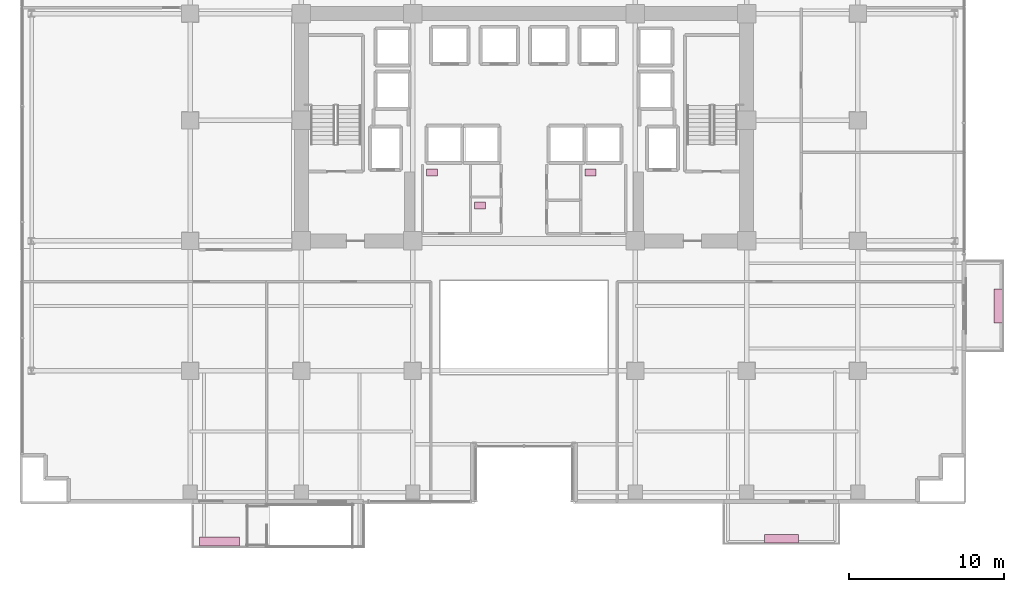
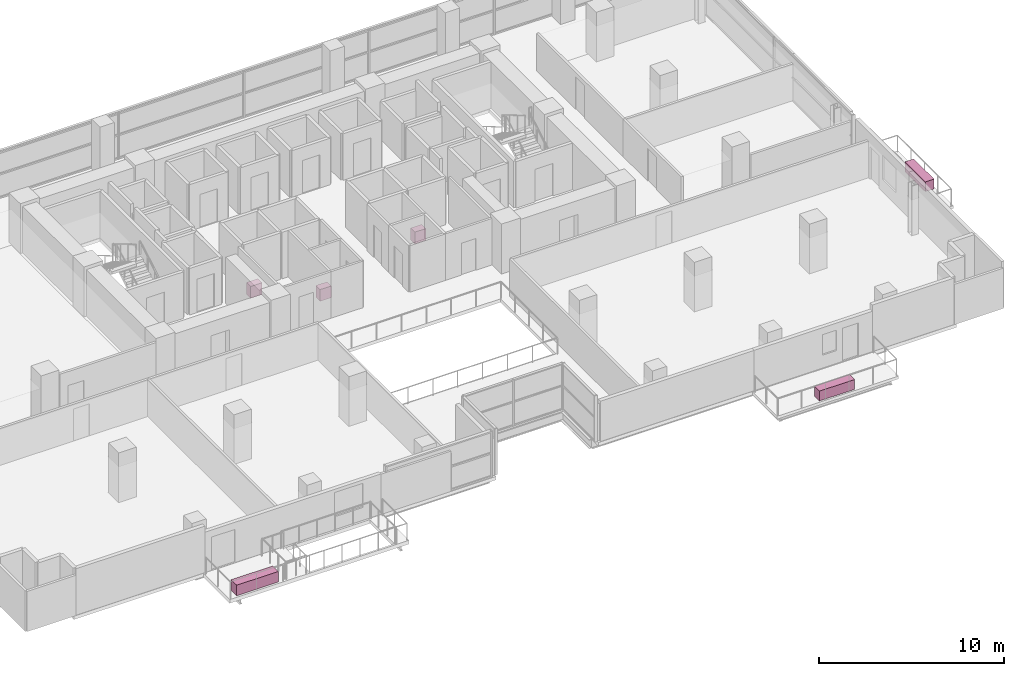
# One storey, part 30 of 30: 6 furnishings.
"""IFC4 building model written with IfcOpenShell, lengths in metres."""

import ifcopenshell
import ifcopenshell.guid

model = None  # the IFC model being written
_history = None  # IfcOwnerHistory: only IFC2X3 demands one
_inside = {}  # id of a spatial element -> (the spatial element, [elements in it])
_under = {}  # id of a project, library or spatial element -> (it, [spatial elements below it])
_declared = {}  # id of a project -> (the project, [libraries it declares])
_typed = {}  # id of a type object -> (the type object, [elements of that type])
_made_of = {}  # id of a material, layer set ... -> (it, [elements and type objects made of it])


def new_model(schema):
    """Start an empty IFC model of exactly this schema.

    Asked for "IFC4X3", IfcOpenShell would pick the latest addendum, in which some entities
    have other attributes; the version numbers below select the first issue.
    IFC2X3 requires an IfcOwnerHistory on every rooted entity: one is made here for all.
    """
    global model, _history
    if schema == "IFC4X3":
        model = ifcopenshell.file(schema_version=(4, 3, 0, 0))
    else:
        model = ifcopenshell.file(schema=schema)
    _inside.clear()
    _under.clear()
    _declared.clear()
    _typed.clear()
    _made_of.clear()
    _history = None
    if model.schema == "IFC2X3":
        org = make("IfcOrganization", Name="unknown")
        user = make(
            "IfcPersonAndOrganization",
            ThePerson=make("IfcPerson", FamilyName="unknown"),
            TheOrganization=org,
        )
        app = make(
            "IfcApplication",
            ApplicationDeveloper=org,
            Version="unknown",
            ApplicationFullName="unknown",
            ApplicationIdentifier="unknown",
        )
        _history = make(
            "IfcOwnerHistory",
            OwningUser=user,
            OwningApplication=app,
            ChangeAction="ADDED",
            CreationDate=0,
        )
    return model


def make(cls, **values):
    """One entity of the class cls with the attributes given. An attribute that is None is left unset."""
    return model.create_entity(
        cls, **{name: value for name, value in values.items() if value is not None}
    )


def rooted(cls, **values):
    """An entity with a GlobalId (a new one), such as an element, a storey or a relation."""
    return make(cls, GlobalId=ifcopenshell.guid.new(), OwnerHistory=_history, **values)


def si_unit(unit_type, name, prefix=None):
    """IfcSIUnit, for example si_unit("LENGTHUNIT", "METRE", prefix="MILLI")."""
    return make("IfcSIUnit", UnitType=unit_type, Prefix=prefix, Name=name)


def assignment(units):
    """IfcUnitAssignment: the units of a project."""
    return None if units is None else make("IfcUnitAssignment", Units=units)


def point(xyz):
    """IfcCartesianPoint."""
    return None if xyz is None else make("IfcCartesianPoint", Coordinates=xyz)


def direction(xyz):
    """IfcDirection."""
    return None if xyz is None else make("IfcDirection", DirectionRatios=xyz)


def frame(location, z_axis=None, x_axis=None):
    """IfcAxis2Placement3D, a coordinate frame: its origin and axes. An axis left out is left unset."""
    return make(
        "IfcAxis2Placement3D",
        Location=point(location),
        Axis=direction(z_axis),
        RefDirection=direction(x_axis),
    )


def frame_2d(location, x_axis=None):
    """IfcAxis2Placement2D, a coordinate frame in the plane: its origin and x axis."""
    return make(
        "IfcAxis2Placement2D", Location=point(location), RefDirection=direction(x_axis)
    )


def origin():
    """The frame at (0, 0, 0) with its axes left unset."""
    return frame((0.0, 0.0, 0.0))


def origin_2d():
    """The frame at (0, 0) in the plane with its x axis left unset."""
    return frame_2d((0.0, 0.0))


def place(relative_to, where):
    """IfcLocalPlacement: puts the frame where relative to a parent placement (None: the world)."""
    return make(
        "IfcLocalPlacement", PlacementRelTo=relative_to, RelativePlacement=where
    )


def context(
    kind, dimensions, precision=None, world=None, true_north=None, identifier=None
):
    """IfcGeometricRepresentationContext, for example the 3D "Model" context."""
    return make(
        "IfcGeometricRepresentationContext",
        ContextIdentifier=identifier,
        ContextType=kind,
        CoordinateSpaceDimension=dimensions,
        Precision=precision,
        WorldCoordinateSystem=world,
        TrueNorth=true_north,
    )


def subcontext(parent, identifier, kind, view, scale=None):
    """IfcGeometricRepresentationSubContext, for example "Body" below "Model"."""
    return make(
        "IfcGeometricRepresentationSubContext",
        ContextIdentifier=identifier,
        ContextType=kind,
        ParentContext=parent,
        TargetScale=scale,
        TargetView=view,
    )


def project(units=None, contexts=None):
    """IfcProject with its units and contexts."""
    return rooted(
        "IfcProject",
        Name="project",
        RepresentationContexts=contexts,
        UnitsInContext=assignment(units),
    )


def spatial(cls, under=None, at=None, **own):
    """A site, building, storey or space (cls), placed at a placement, below another one or the project."""
    s = rooted(cls, ObjectPlacement=at, **own)
    if under is not None:
        _under.setdefault(under.id(), (under, []))[1].append(s)
    return s


def profile(cls, at=None, kind="AREA", **sizes):
    """A parametric profile (cls). Its sizes go by their IFC names, for example OverallWidth=200.0."""
    return make(cls, ProfileType=kind, Position=at, **sizes)


def rectangle(**sizes):
    """IfcRectangleProfileDef."""
    return profile("IfcRectangleProfileDef", **sizes)


def extrude(swept, where, along, depth):
    """IfcExtrudedAreaSolid: the profile swept, set in the frame where, extruded along a direction by depth."""
    return make(
        "IfcExtrudedAreaSolid",
        SweptArea=swept,
        Position=where,
        ExtrudedDirection=direction(along),
        Depth=depth,
    )


def shape(context_of_items, identifier, shape_type, items):
    """IfcShapeRepresentation: the items that make up one representation, for example the "Body"."""
    return make(
        "IfcShapeRepresentation",
        ContextOfItems=context_of_items,
        RepresentationIdentifier=identifier,
        RepresentationType=shape_type,
        Items=items,
    )


def source(mapping_origin, context_of_items, identifier, shape_type, items):
    """IfcRepresentationMap: a shape defined once, which mapped items show again and again."""
    return make(
        "IfcRepresentationMap",
        MappingOrigin=mapping_origin,
        MappedRepresentation=shape(context_of_items, identifier, shape_type, items),
    )


def transform(
    local_origin,
    x_axis=None,
    y_axis=None,
    z_axis=None,
    scale=None,
    scale2=None,
    scale3=None,
    uniform=True,
):
    """IfcCartesianTransformationOperator3D, or its non-uniform kind. x_axis, y_axis, z_axis: its Axis1, 2, 3."""
    if uniform:
        return make(
            "IfcCartesianTransformationOperator3D",
            Axis1=direction(x_axis),
            Axis2=direction(y_axis),
            LocalOrigin=point(local_origin),
            Scale=scale,
            Axis3=direction(z_axis),
        )
    return make(
        "IfcCartesianTransformationOperator3DnonUniform",
        Axis1=direction(x_axis),
        Axis2=direction(y_axis),
        LocalOrigin=point(local_origin),
        Scale=scale,
        Axis3=direction(z_axis),
        Scale2=scale2,
        Scale3=scale3,
    )


def mapped(mapping_source, mapping_target):
    """IfcMappedItem: shows the shape of a source again, moved by a transform."""
    return make(
        "IfcMappedItem", MappingSource=mapping_source, MappingTarget=mapping_target
    )


def material(Name=None, Category=None):
    """IfcMaterial."""
    return make("IfcMaterial", Name=Name, Category=Category)


def made_of(thing, what):
    """Note that an element or type object is made of a material, layer set ...; save() writes the relation."""
    if what is not None:
        _made_of.setdefault(what.id(), (what, []))[1].append(thing)
    return thing


def type_object(cls, material=None, **own):
    """A type object (cls), such as IfcWallType, which elements share."""
    return made_of(rooted(cls, **own), material)


def element(
    cls,
    number,
    at=None,
    inside=None,
    cuts=None,
    type_object=None,
    material=None,
    context=None,
    identifier="Body",
    shape_type=None,
    held_by="IfcProductDefinitionShape",
    body=None,
    shapes=None,
    **own,
):
    """One element of the class cls, such as IfcWall. Its Tag is "e" and its number.

    at: its placement. inside: the storey or other place that contains it. cuts: it is an
    opening in that element (IfcRelVoidsElement). A single representation is given by context,
    identifier, shape_type and body (its items); several are given by shapes. held_by: the class
    of the entity that holds the representations. save() writes the other relations.
    """
    e = rooted(cls, Tag="e%d" % number, ObjectPlacement=at, **own)
    if body is not None:
        shapes = [shape(context, identifier, shape_type, body)]
    if shapes is not None:
        e.Representation = make(held_by, Representations=shapes)
    if inside is not None:
        _inside.setdefault(inside.id(), (inside, []))[1].append(e)
    if cuts is not None:
        rooted(
            "IfcRelVoidsElement", RelatingBuildingElement=cuts, RelatedOpeningElement=e
        )
    if type_object is not None:
        _typed.setdefault(type_object.id(), (type_object, []))[1].append(e)
    return made_of(e, material)


def aggregate(whole, parts):
    """IfcRelAggregates: a whole, such as a stair, and the parts it consists of."""
    return rooted("IfcRelAggregates", RelatingObject=whole, RelatedObjects=parts)


def save(model, path):
    """Write the relations noted so far, then the file.

    IfcRelAggregates (storeys below a building ...), IfcRelContainedInSpatialStructure (elements
    in a storey), IfcRelDefinesByType, IfcRelAssociatesMaterial and IfcRelDeclares: one each for
    every whole, place, type object, material and project.
    """
    for whole, parts in _under.values():
        aggregate(whole, parts)
    for where, things in _inside.values():
        rooted(
            "IfcRelContainedInSpatialStructure",
            RelatedElements=things,
            RelatingStructure=where,
        )
    for kind, things in _typed.values():
        rooted("IfcRelDefinesByType", RelatedObjects=things, RelatingType=kind)
    for what, things in _made_of.values():
        rooted("IfcRelAssociatesMaterial", RelatedObjects=things, RelatingMaterial=what)
    for by, libraries in _declared.values():
        rooted("IfcRelDeclares", RelatingContext=by, RelatedDefinitions=libraries)
    model.write(path)


model = new_model("IFC4")

# Units and contexts
model_context = context("Model", 3, precision=1e-05, world=origin(), true_north=direction((0.0, 1.0)))
body_context = subcontext(model_context, "Body", "Model", "MODEL_VIEW")
ifc_project = project(units=[si_unit("LENGTHUNIT", "METRE"), si_unit("AREAUNIT", "SQUARE_METRE"), si_unit("VOLUMEUNIT", "CUBIC_METRE"), si_unit("PLANEANGLEUNIT", "RADIAN"), si_unit("MASSUNIT", "GRAM", prefix="KILO")], contexts=[model_context])

# Site, building, storey
site_placement = place(None, origin())
site = spatial("IfcSite", under=ifc_project, at=site_placement, CompositionType="ELEMENT")
building_placement = place(site_placement, origin())
building = spatial("IfcBuilding", under=site, at=building_placement, Name="Zarnakvel Exchange Tower", CompositionType="ELEMENT")
storey_placement = place(building_placement, frame((0.0, 0.0, 30.699951171875)))
storey = spatial("IfcBuildingStorey", under=building, at=storey_placement, Name="L07", CompositionType="ELEMENT", Elevation=30.699951171875)

# Furnishings
ifc_material_1 = material(Name="Architectural Bronze Anodised Aluminium", Category="aluminium")
furnishing_element_type_1 = type_object("IfcFurnishingElementType", Name="PLNT-02", material=ifc_material_1)
shared_shape_1 = source(origin(), body_context, "Body", "SweptSolid", [
    extrude(rectangle(XDim=2.60009765625, YDim=0.60009765625, at=origin_2d()), origin(), (0.0, 0.0, 1.0), 0.699951171875),
])
furnishing_placement = place(storey_placement, frame((-19.699951171875, -20.639892578125, 0.0), z_axis=(0.0, 0.0, 1.0), x_axis=(1.0, 0.0, 0.0)))
element("IfcFurnishingElement", 1, at=furnishing_placement, inside=storey, type_object=furnishing_element_type_1, Name="L07 Spiral Sky-Terrace Tropical Planter", ObjectType="PLANTER", context=body_context, shape_type="MappedRepresentation", body=[
    mapped(shared_shape_1, transform((0.0, 0.0, 0.0), x_axis=(1.0, 0.0, 0.0), y_axis=(0.0, 1.0, 0.0), z_axis=(0.0, 0.0, 1.0), scale=1.0)),
])
furnishing_element_type_2 = type_object("IfcFurnishingElementType", Name="PLNT-01", material=ifc_material_1)
shared_shape_2 = source(origin(), body_context, "Body", "SweptSolid", [
    extrude(rectangle(XDim=2.199951171875, YDim=0.550048828125, at=origin_2d()), origin(), (0.0, 0.0, 1.0), 0.64990234375),
])
for number, where, z_axis, x_axis, name in (
    (2, (16.64990234375, -20.469970703125, -0.034912109375), (0.0, 0.0, 1.0), (1.0, 0.0, 0.0), "L07 Balcony Greenery Planter BAL-L07-SE"),
    (3, (30.669921875, -5.39990234375, -0.034912109375), (0.0, 0.0, 1.0), (0.0, 1.0, 0.0), "L07 Balcony Greenery Planter BAL-L07-E"),
):
    element("IfcFurnishingElement", number, at=place(storey_placement, frame(where, z_axis=z_axis, x_axis=x_axis)), inside=storey, type_object=furnishing_element_type_2, Name=name, ObjectType="PLANTER", context=body_context, shape_type="MappedRepresentation", body=[
        mapped(shared_shape_2, transform((0.0, 0.0, 0.0), x_axis=(1.0, 0.0, 0.0), y_axis=(0.0, 1.0, 0.0), z_axis=(0.0, 0.0, 1.0), scale=1.0)),
    ])
ifc_material_2 = material(Name="Vitreous China Sanitaryware", Category="ceramic")
furnishing_element_type_3 = type_object("IfcFurnishingElementType", Name="SAN-WC", material=ifc_material_2)
shared_shape_3 = source(origin(), body_context, "Body", "SweptSolid", [
    extrude(rectangle(XDim=0.699951171875, YDim=0.449951171875, at=origin_2d()), origin(), (0.0, 0.0, 1.0), 0.780029296875),
])
for number, where, z_axis, x_axis, name in (
    (4, (-5.949951171875, 3.22998046875, 0.0), (0.0, 0.0, 1.0), (1.0, 0.0, 0.0), "L07 Sanitary Fixture (Male Toilet)"),
    (5, (-2.840087890625, 1.10009765625, 0.0), (0.0, 0.0, 1.0), (1.0, 0.0, 0.0), "L07 Sanitary Fixture (Accessible Toilet)"),
    (6, (4.31005859375, 3.22998046875, 0.0), (0.0, 0.0, 1.0), (1.0, 0.0, 0.0), "L07 Sanitary Fixture (Female Toilet)"),
):
    element("IfcFurnishingElement", number, at=place(storey_placement, frame(where, z_axis=z_axis, x_axis=x_axis)), inside=storey, type_object=furnishing_element_type_3, Name=name, ObjectType="SANITARY_FIXTURE", context=body_context, shape_type="MappedRepresentation", body=[
        mapped(shared_shape_3, transform((0.0, 0.0, 0.0), x_axis=(1.0, 0.0, 0.0), y_axis=(0.0, 1.0, 0.0), z_axis=(0.0, 0.0, 1.0), scale=1.0)),
    ])

save(model, "model.ifc")
